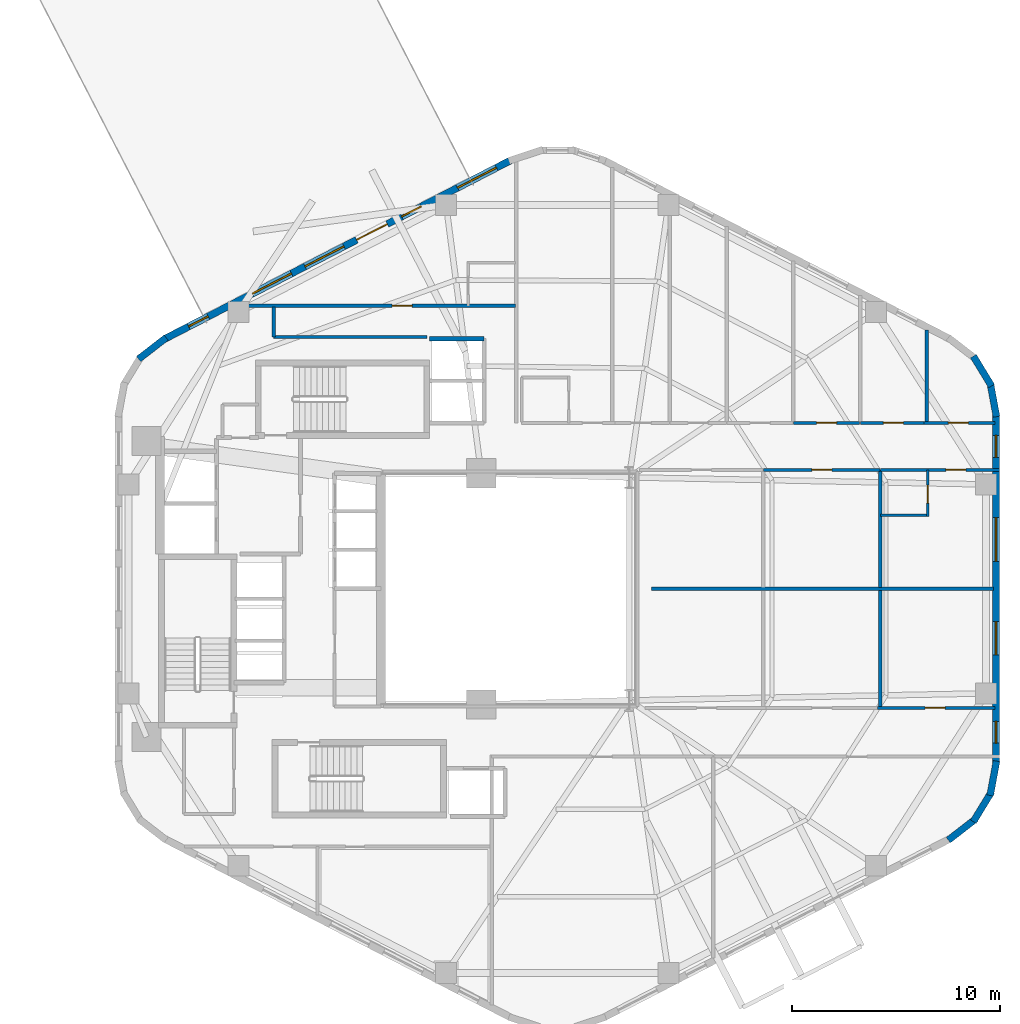
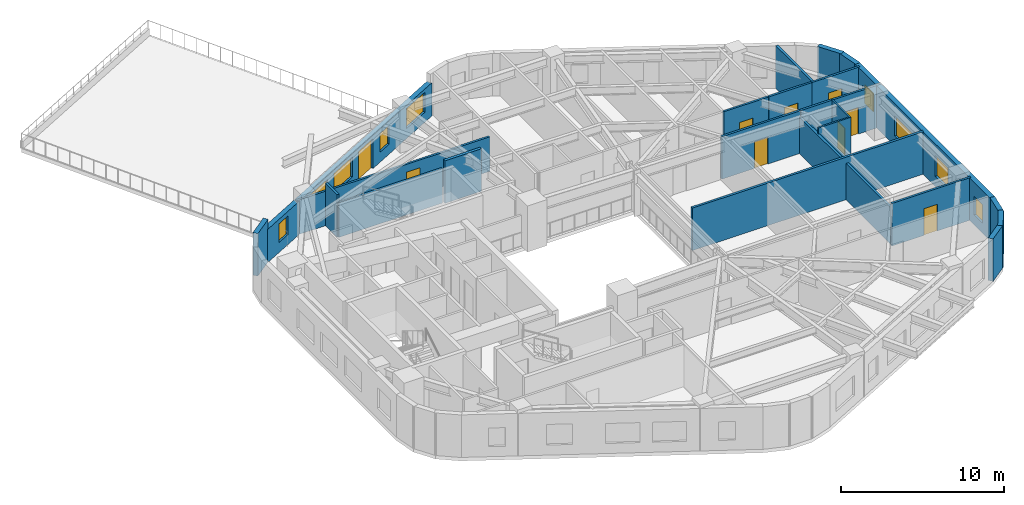
# One storey, part 5 of 8: 24 walls, 9 doors, 9 windows, 18 openings.
"""IFC4 building model written with IfcOpenShell, lengths in metres."""

from ifc_helpers import new_model, si_unit, direction, frame, frame_2d, origin, place, context, subcontext, project, spatial, rectangle, extrude, material, layer, layer_set, type_object, element, fill, save


model = new_model("IFC4")

# Units and contexts
model_context = context("Model", 3, precision=1e-05, world=origin(), true_north=direction((0.0, 1.0)))
body_context = subcontext(model_context, "Body", "Model", "MODEL_VIEW")
ifc_project = project(units=[si_unit("LENGTHUNIT", "METRE"), si_unit("AREAUNIT", "SQUARE_METRE"), si_unit("VOLUMEUNIT", "CUBIC_METRE"), si_unit("PLANEANGLEUNIT", "RADIAN"), si_unit("MASSUNIT", "GRAM", prefix="KILO"), si_unit("THERMODYNAMICTEMPERATUREUNIT", "KELVIN"), si_unit("POWERUNIT", "WATT")], contexts=[model_context])

# Site, building, storey
site_placement = place(None, origin())
site = spatial("IfcSite", under=ifc_project, at=site_placement, CompositionType="ELEMENT")
building_placement = place(site_placement, origin())
building = spatial("IfcBuilding", under=site, at=building_placement, Name="Skarre Station Tower", CompositionType="ELEMENT")
storey_placement = place(building_placement, frame((0.0, 0.0, 149.85009765625)))
storey = spatial("IfcBuildingStorey", under=building, at=storey_placement, Name="L40", CompositionType="ELEMENT", Elevation=149.85009765625)

# Wall, opening, door
ifc_material_1 = material(Name="Acoustic Steel-Stud Gypsum Partition", Category="steel")
ifc_layer_1 = layer(ifc_material_1, 0.14990234375, Name="Acoustic Steel-Stud Gypsum Partition")
ifc_layer_set_1 = layer_set([ifc_layer_1], Name="Acoustic Steel-Stud Gypsum Partition")
wall_type_1 = type_object("IfcWallType", Name="Fire-Rated Corridor Acoustic Partition 150", PredefinedType="PARTITIONING", material=ifc_layer_set_1)
wall_1_placement = place(storey_placement, frame((34.0, 37.580078125, 0.0), z_axis=(0.0, 0.0, 1.0), x_axis=(-1.0, 0.0, 0.0)))
wall_1 = element("IfcWall", 1, at=wall_1_placement, inside=storey, type_object=wall_type_1, Name="L40 Interior Partition WL-PT-L40-NWW1-CW", PredefinedType="PARTITIONING", context=body_context, shape_type="SweptSolid", body=[
    extrude(rectangle(XDim=13.70703125, YDim=0.14990234375, at=frame_2d((6.853515625, 0.0))), origin(), (0.0, 0.0, 1.0), 2.581787109375),
])
opening_1_placement = place(wall_1_placement, frame((4.9599609375, 0.0, 0.0)))
opening_1 = element("IfcOpeningElement", 2, at=opening_1_placement, cuts=wall_1, Name="Opening DR-FD60", PredefinedType="OPENING", context=body_context, shape_type="SweptSolid", body=[
    extrude(rectangle(XDim=0.9599609375, YDim=2.0, at=frame_2d((0.47998046875, 1.0))), frame((0.0, 0.0849609375, 0.0), z_axis=(0.0, -1.0, 0.0), x_axis=(1.0, 0.0, 0.0)), (0.0, 0.0, 1.0), 0.169921875),
])
ifc_material_2 = material(Name="Nordic White-Oak Veneer Solid-Core Fire Leaf", Category="wood")
door_type_1 = type_object("IfcDoorType", Name="Corridor Suite Entry Fire Door FD60 960x2150", OperationType="SINGLE_SWING_LEFT", PredefinedType="DOOR", material=ifc_material_2)
door_1_placement = place(opening_1_placement, origin())
door_1 = element("IfcDoor", 3, at=door_1_placement, inside=storey, type_object=door_type_1, Name="L40 NWW1 Entry Door", OperationType="SINGLE_SWING_LEFT", OverallHeight=2.0, OverallWidth=0.9599609375, PredefinedType="DOOR", context=body_context, shape_type="SweptSolid", body=[
    extrude(rectangle(XDim=0.9599609375, YDim=2.0, at=frame_2d((0.47998046875, 1.0))), frame((0.0, 0.02490234375, 0.0), z_axis=(0.0, -1.0, 0.0), x_axis=(1.0, 0.0, 0.0)), (0.0, 0.0, 1.0), 0.050048828125),
])
fill(opening_1, door_1)

wall_2_placement = place(storey_placement, frame((50.507080078125, 31.9599609375, 0.0), z_axis=(0.0, 0.0, 1.0), x_axis=(-1.0, 0.0, 0.0)))
wall_2 = element("IfcWall", 4, at=wall_2_placement, inside=storey, type_object=wall_type_1, Name="L40 Interior Partition WL-PT-L40-NW5-CW", PredefinedType="PARTITIONING", context=body_context, shape_type="SweptSolid", body=[
    extrude(rectangle(XDim=3.1650390625, YDim=0.14990234375, at=frame_2d((1.58251953125, 0.0))), origin(), (0.0, 0.0, 1.0), 3.18994140625),
])
opening_2_placement = place(wall_2_placement, frame((1.10302734375, 0.0, 0.0)))
opening_2 = element("IfcOpeningElement", 5, at=opening_2_placement, cuts=wall_2, Name="Opening DR-FD60", PredefinedType="OPENING", context=body_context, shape_type="SweptSolid", body=[
    extrude(rectangle(XDim=0.9599609375, YDim=2.0, at=frame_2d((0.47998046875, 1.0))), frame((0.0, 0.0849609375, 0.0), z_axis=(0.0, -1.0, 0.0), x_axis=(1.0, 0.0, 0.0)), (0.0, 0.0, 1.0), 0.169921875),
])
door_2_placement = place(opening_2_placement, origin())
door_2 = element("IfcDoor", 6, at=door_2_placement, inside=storey, type_object=door_type_1, Name="L40 NW5 Entry Door", OperationType="SINGLE_SWING_LEFT", OverallHeight=2.0, OverallWidth=0.9599609375, PredefinedType="DOOR", context=body_context, shape_type="SweptSolid", body=[
    extrude(rectangle(XDim=0.9599609375, YDim=2.0, at=frame_2d((0.47998046875, 1.0))), frame((0.0, 0.02490234375, 0.0), z_axis=(0.0, -1.0, 0.0), x_axis=(1.0, 0.0, 0.0)), (0.0, 0.0, 1.0), 0.050048828125),
])
fill(opening_2, door_2)

wall_3_placement = place(storey_placement, frame((53.591064453125, 31.9599609375, 0.0), z_axis=(0.0, 0.0, 1.0), x_axis=(-1.0, 0.0, 0.0)))
wall_3 = element("IfcWall", 7, at=wall_3_placement, inside=storey, type_object=wall_type_1, Name="L40 Interior Partition WL-PT-L40-NW6-CW", PredefinedType="PARTITIONING", context=body_context, shape_type="SweptSolid", body=[
    extrude(rectangle(XDim=3.052001953125, YDim=0.14990234375, at=frame_2d((1.52587890625, 0.0))), origin(), (0.0, 0.0, 1.0), 3.18994140625),
])
opening_3_placement = place(wall_3_placement, frame((0.989013671875, 0.0, 0.0)))
opening_3 = element("IfcOpeningElement", 8, at=opening_3_placement, cuts=wall_3, Name="Opening DR-FD60", PredefinedType="OPENING", context=body_context, shape_type="SweptSolid", body=[
    extrude(rectangle(XDim=0.9599609375, YDim=2.0, at=frame_2d((0.47998046875, 1.0))), frame((0.0, 0.0849609375, 0.0), z_axis=(0.0, -1.0, 0.0), x_axis=(1.0, 0.0, 0.0)), (0.0, 0.0, 1.0), 0.169921875),
])
door_3_placement = place(opening_3_placement, origin())
door_3 = element("IfcDoor", 9, at=door_3_placement, inside=storey, type_object=door_type_1, Name="L40 NW6 Entry Door", OperationType="SINGLE_SWING_LEFT", OverallHeight=2.0, OverallWidth=0.9599609375, PredefinedType="DOOR", context=body_context, shape_type="SweptSolid", body=[
    extrude(rectangle(XDim=0.9599609375, YDim=2.0, at=frame_2d((0.47998046875, 1.0))), frame((0.0, 0.02490234375, 0.0), z_axis=(0.0, -1.0, 0.0), x_axis=(1.0, 0.0, 0.0)), (0.0, 0.0, 1.0), 0.050048828125),
])
fill(opening_3, door_3)

wall_4_placement = place(storey_placement, frame((56.987060546875, 31.9599609375, 0.0), z_axis=(0.0, 0.0, 1.0), x_axis=(-1.0, 0.0, 0.0)))
wall_4 = element("IfcWall", 10, at=wall_4_placement, inside=storey, type_object=wall_type_1, Name="L40 Interior Partition WL-PT-L40-NW7-CW", PredefinedType="PARTITIONING", context=body_context, shape_type="SweptSolid", body=[
    extrude(rectangle(XDim=3.385986328125, YDim=0.14990234375, at=frame_2d((1.69287109375, 0.0))), origin(), (0.0, 0.0, 1.0), 3.18994140625),
])
opening_4_placement = place(wall_4_placement, frame((1.27001953125, 0.0, 0.0)))
opening_4 = element("IfcOpeningElement", 11, at=opening_4_placement, cuts=wall_4, Name="Opening DR-FD60", PredefinedType="OPENING", context=body_context, shape_type="SweptSolid", body=[
    extrude(rectangle(XDim=0.9599609375, YDim=2.0, at=frame_2d((0.47998046875, 1.0))), frame((0.0, 0.0849609375, 0.0), z_axis=(0.0, -1.0, 0.0), x_axis=(1.0, 0.0, 0.0)), (0.0, 0.0, 1.0), 0.169921875),
])
door_4_placement = place(opening_4_placement, origin())
door_4 = element("IfcDoor", 12, at=door_4_placement, inside=storey, type_object=door_type_1, Name="L40 NW7 Entry Door", OperationType="SINGLE_SWING_LEFT", OverallHeight=2.0, OverallWidth=0.9599609375, PredefinedType="DOOR", context=body_context, shape_type="SweptSolid", body=[
    extrude(rectangle(XDim=0.9599609375, YDim=2.0, at=frame_2d((0.47998046875, 1.0))), frame((0.0, 0.02490234375, 0.0), z_axis=(0.0, -1.0, 0.0), x_axis=(1.0, 0.0, 0.0)), (0.0, 0.0, 1.0), 0.050048828125),
])
fill(opening_4, door_4)

wall_5_placement = place(storey_placement, frame((45.904052734375, 29.7099609375, 0.0), z_axis=(0.0, 0.0, 1.0), x_axis=(1.0, 0.0, 0.0)))
wall_5 = element("IfcWall", 13, at=wall_5_placement, inside=storey, type_object=wall_type_1, Name="L40 Interior Partition WL-PT-L40-EWN2-CW", PredefinedType="PARTITIONING", context=body_context, shape_type="SweptSolid", body=[
    extrude(rectangle(XDim=5.56884765625, YDim=0.14990234375, at=frame_2d((2.784423828125, 0.0))), origin(), (0.0, 0.0, 1.0), 3.18994140625),
])
opening_5_placement = place(wall_5_placement, frame((2.303955078125, 0.0, 0.0)))
opening_5 = element("IfcOpeningElement", 14, at=opening_5_placement, cuts=wall_5, Name="Opening DR-FD60", PredefinedType="OPENING", context=body_context, shape_type="SweptSolid", body=[
    extrude(rectangle(XDim=0.9599609375, YDim=2.0, at=frame_2d((0.47998046875, 1.0))), frame((0.0, 0.0849609375, 0.0), z_axis=(0.0, -1.0, 0.0), x_axis=(1.0, 0.0, 0.0)), (0.0, 0.0, 1.0), 0.169921875),
])
door_5_placement = place(opening_5_placement, origin())
door_5 = element("IfcDoor", 15, at=door_5_placement, inside=storey, type_object=door_type_1, Name="L40 EWN2 Entry Door", OperationType="SINGLE_SWING_LEFT", OverallHeight=2.0, OverallWidth=0.9599609375, PredefinedType="DOOR", context=body_context, shape_type="SweptSolid", body=[
    extrude(rectangle(XDim=0.9599609375, YDim=2.0, at=frame_2d((0.47998046875, 1.0))), frame((0.0, 0.02490234375, 0.0), z_axis=(0.0, -1.0, 0.0), x_axis=(1.0, 0.0, 0.0)), (0.0, 0.0, 1.0), 0.050048828125),
])
fill(opening_5, door_5)

wall_6_placement = place(storey_placement, frame((51.5029296875, 29.7099609375, 0.0), z_axis=(0.0, 0.0, 1.0), x_axis=(1.0, 0.0, 0.0)))
wall_6 = element("IfcWall", 16, at=wall_6_placement, inside=storey, type_object=wall_type_1, Name="L40 Interior Partition WL-PT-L40-EWN3-CW", PredefinedType="PARTITIONING", context=body_context, shape_type="SweptSolid", body=[
    extrude(rectangle(XDim=5.705078125, YDim=0.14990234375, at=frame_2d((2.8525390625, 0.0))), origin(), (0.0, 0.0, 1.0), 3.18994140625),
])
opening_6_placement = place(wall_6_placement, frame((3.136962890625, 0.0, 0.0)))
opening_6 = element("IfcOpeningElement", 17, at=opening_6_placement, cuts=wall_6, Name="Opening DR-FD60", PredefinedType="OPENING", context=body_context, shape_type="SweptSolid", body=[
    extrude(rectangle(XDim=0.9599609375, YDim=2.0, at=frame_2d((0.47998046875, 1.0))), frame((0.0, 0.0849609375, 0.0), z_axis=(0.0, -1.0, 0.0), x_axis=(1.0, 0.0, 0.0)), (0.0, 0.0, 1.0), 0.169921875),
])
door_6_placement = place(opening_6_placement, origin())
door_6 = element("IfcDoor", 18, at=door_6_placement, inside=storey, type_object=door_type_1, Name="L40 EWN3 Entry Door", OperationType="SINGLE_SWING_LEFT", OverallHeight=2.0, OverallWidth=0.9599609375, PredefinedType="DOOR", context=body_context, shape_type="SweptSolid", body=[
    extrude(rectangle(XDim=0.9599609375, YDim=2.0, at=frame_2d((0.47998046875, 1.0))), frame((0.0, 0.02490234375, 0.0), z_axis=(0.0, -1.0, 0.0), x_axis=(1.0, 0.0, 0.0)), (0.0, 0.0, 1.0), 0.050048828125),
])
fill(opening_6, door_6)

wall_7_placement = place(storey_placement, frame((56.988037109375, 18.2900390625, 0.0), z_axis=(0.0, 0.0, 1.0), x_axis=(-1.0, 0.0, 0.0)))
wall_7 = element("IfcWall", 19, at=wall_7_placement, inside=storey, type_object=wall_type_1, Name="L40 Interior Partition WL-PT-L40-EWS3-CW", PredefinedType="PARTITIONING", context=body_context, shape_type="SweptSolid", body=[
    extrude(rectangle(XDim=5.6201171875, YDim=0.14990234375, at=frame_2d((2.81005859375, 0.0))), origin(), (0.0, 0.0, 1.0), 3.18994140625),
])
opening_7_placement = place(wall_7_placement, frame((2.386962890625, 0.0, 0.0)))
opening_7 = element("IfcOpeningElement", 20, at=opening_7_placement, cuts=wall_7, Name="Opening DR-FD60", PredefinedType="OPENING", context=body_context, shape_type="SweptSolid", body=[
    extrude(rectangle(XDim=0.9599609375, YDim=2.0, at=frame_2d((0.47998046875, 1.0))), frame((0.0, 0.0849609375, 0.0), z_axis=(0.0, -1.0, 0.0), x_axis=(1.0, 0.0, 0.0)), (0.0, 0.0, 1.0), 0.169921875),
])
door_7_placement = place(opening_7_placement, origin())
door_7 = element("IfcDoor", 21, at=door_7_placement, inside=storey, type_object=door_type_1, Name="L40 EWS3 Entry Door", OperationType="SINGLE_SWING_LEFT", OverallHeight=2.0, OverallWidth=0.9599609375, PredefinedType="DOOR", context=body_context, shape_type="SweptSolid", body=[
    extrude(rectangle(XDim=0.9599609375, YDim=2.0, at=frame_2d((0.47998046875, 1.0))), frame((0.0, 0.02490234375, 0.0), z_axis=(0.0, -1.0, 0.0), x_axis=(1.0, 0.0, 0.0)), (0.0, 0.0, 1.0), 0.050048828125),
])
fill(opening_7, door_7)

# Walls
wall_8_placement = place(storey_placement, frame((29.7529296875, 36.080078125, 0.0), z_axis=(0.0, 0.0, 1.0), x_axis=(-1.0, 0.0, 0.0)))
element("IfcWall", 22, at=wall_8_placement, inside=storey, type_object=wall_type_1, Name="L40 Interior Partition WL-PT-L40-CSEAL-1", PredefinedType="PARTITIONING", context=body_context, shape_type="SweptSolid", body=[
    extrude(rectangle(XDim=7.35302734375, YDim=0.14990234375, at=frame_2d((3.676513671875, 0.0))), origin(), (0.0, 0.0, 1.0), 2.581787109375),
])
wall_9_placement = place(storey_placement, frame((22.39990234375, 36.080078125, 0.0), z_axis=(0.0, 0.0, 1.0), x_axis=(0.0, 1.0, 0.0)))
element("IfcWall", 23, at=wall_9_placement, inside=storey, type_object=wall_type_1, Name="L40 Interior Partition WL-PT-L40-CSEAL-2", PredefinedType="PARTITIONING", context=body_context, shape_type="SweptSolid", body=[
    extrude(rectangle(XDim=1.429931640625, YDim=0.14990234375, at=frame_2d((0.71484375, 0.0))), origin(), (0.0, 0.0, 1.0), 3.18994140625),
])

# Wall, opening, door
ifc_material_3 = material(Name="Insulated Timber-Stud Gypsum Partition", Category="wood")
ifc_layer_2 = layer(ifc_material_3, 0.1201171875, Name="Insulated Timber-Stud Gypsum Partition")
ifc_layer_set_2 = layer_set([ifc_layer_2], Name="Insulated Timber-Stud Gypsum Partition")
wall_type_2 = type_object("IfcWallType", Name="Internal Suite Acoustic Partition 120", PredefinedType="PARTITIONING", material=ifc_layer_set_2)
wall_10_placement = place(storey_placement, frame((53.762939453125, 27.469970703125, 0.0), z_axis=(0.0, 0.0, 1.0), x_axis=(0.0, 1.0, 0.0)))
wall_10 = element("IfcWall", 24, at=wall_10_placement, inside=storey, type_object=wall_type_2, Name="L40 Interior Partition WL-PT-L40-EWN3-EW2", PredefinedType="PARTITIONING", context=body_context, shape_type="SweptSolid", body=[
    extrude(rectangle(XDim=2.239990234375, YDim=0.1201171875, at=frame_2d((1.1201171875, 0.0))), origin(), (0.0, 0.0, 1.0), 3.18994140625),
])
opening_8_placement = place(wall_10_placement, frame((0.64990234375, 0.0, 0.0)))
opening_8 = element("IfcOpeningElement", 25, at=opening_8_placement, cuts=wall_10, Name="Opening DR-INT86", PredefinedType="OPENING", context=body_context, shape_type="SweptSolid", body=[
    extrude(rectangle(XDim=0.860107421875, YDim=2.0, at=frame_2d((0.43017578125, 1.0))), frame((0.0, 0.070068359375, 0.0), z_axis=(0.0, -1.0, 0.0), x_axis=(1.0, 0.0, 0.0)), (0.0, 0.0, 1.0), 0.14013671875),
])
ifc_material_4 = material(Name="Nordic Birch Acoustic Solid-Core Timber Leaf", Category="wood")
door_type_2 = type_object("IfcDoorType", Name="Internal En-Suite & Bedroom Door 860x2100", OperationType="SINGLE_SWING_LEFT", PredefinedType="DOOR", material=ifc_material_4)
door_8_placement = place(opening_8_placement, origin())
door_8 = element("IfcDoor", 26, at=door_8_placement, inside=storey, type_object=door_type_2, Name="L40 EWN3 En-suite Door", OperationType="SINGLE_SWING_RIGHT", OverallHeight=2.0, OverallWidth=0.860107421875, PredefinedType="DOOR", context=body_context, shape_type="SweptSolid", body=[
    extrude(rectangle(XDim=0.860107421875, YDim=2.0, at=frame_2d((0.43017578125, 1.0))), frame((0.0, 0.02490234375, 0.0), z_axis=(0.0, -1.0, 0.0), x_axis=(1.0, 0.0, 0.0)), (0.0, 0.0, 1.0), 0.050048828125),
])
fill(opening_8, door_8)

# Wall
wall_11_placement = place(storey_placement, frame((51.5029296875, 27.530029296875, 0.0), z_axis=(0.0, 0.0, 1.0), x_axis=(1.0, 0.0, 0.0)))
element("IfcWall", 27, at=wall_11_placement, inside=storey, type_object=wall_type_2, Name="L40 Interior Partition WL-PT-L40-EWN3-EW1", PredefinedType="PARTITIONING", context=body_context, shape_type="SweptSolid", body=[
    extrude(rectangle(XDim=2.320068359375, YDim=0.1201171875, at=frame_2d((1.16015625, 0.0))), origin(), (0.0, 0.0, 1.0), 3.18994140625),
])

# Wall, openings, windows, door
ifc_material_5 = material(Name="Precast concrete C45/55", Category="concrete")
ifc_layer_3 = layer(ifc_material_5, 0.340087890625, Name="Precast concrete C45/55")
ifc_layer_set_3 = layer_set([ifc_layer_3], Name="Precast concrete C45/55")
wall_type_3 = type_object("IfcWallType", Name="Nordic Honed Precast Facet Wall 340", PredefinedType="STANDARD", material=ifc_layer_set_3)
wall_12_placement = place(storey_placement, frame((17.1689453125, 35.989990234375, 0.0), z_axis=(0.0, 0.0, 1.0), x_axis=(0.888613612362, 0.458656568606, 0.0)))
wall_12 = element("IfcWall", 28, at=wall_12_placement, inside=storey, type_object=wall_type_3, Name="L40 Facet 1 Nordic Precast Masonry Wall", PredefinedType="STANDARD", context=body_context, shape_type="SweptSolid", body=[
    extrude(rectangle(XDim=18.680908203125, YDim=0.340087890625, at=frame_2d((9.34033203125, 0.0))), origin(), (0.0, 0.0, 1.0), 2.493896484375),
])
opening_9_placement = place(wall_12_placement, frame((10.364990234375, 0.0, 0.0)))
opening_9 = element("IfcOpeningElement", 29, at=opening_9_placement, cuts=wall_12, Name="Opening DR-SGD165", PredefinedType="OPENING", context=body_context, shape_type="SweptSolid", body=[
    extrude(rectangle(XDim=1.64990234375, YDim=2.25, at=frame_2d((0.824951171875, 1.125))), frame((0.0, 0.179931640625, 0.0), z_axis=(0.0, -1.0, 0.0), x_axis=(1.0, 0.0, 0.0)), (0.0, 0.0, 1.0), 0.360107421875),
])
opening_10_placement = place(wall_12_placement, frame((1.298095703125, 0.0, 0.75)))
opening_10 = element("IfcOpeningElement", 30, at=opening_10_placement, cuts=wall_12, Name="Opening WN-SLT", PredefinedType="OPENING", context=body_context, shape_type="SweptSolid", body=[
    extrude(rectangle(XDim=1.050048828125, YDim=1.39990234375, at=frame_2d((0.52490234375, 0.699951171875))), frame((0.0, 0.179931640625, 0.0), z_axis=(0.0, -1.0, 0.0), x_axis=(1.0, 0.0, 0.0)), (0.0, 0.0, 1.0), 0.360107421875),
])
opening_11_placement = place(wall_12_placement, frame((4.742919921875, 0.0, 0.75)))
opening_11 = element("IfcOpeningElement", 31, at=opening_11_placement, cuts=wall_12, Name="Opening WN-Z2B", PredefinedType="OPENING", context=body_context, shape_type="SweptSolid", body=[
    extrude(rectangle(XDim=2.10009765625, YDim=1.5, at=frame_2d((1.050048828125, 0.75))), frame((0.0, 0.179931640625, 0.0), z_axis=(0.0, -1.0, 0.0), x_axis=(1.0, 0.0, 0.0)), (0.0, 0.0, 1.0), 0.360107421875),
])
opening_12_placement = place(wall_12_placement, frame((7.577880859375, 0.0, 0.75)))
opening_12 = element("IfcOpeningElement", 32, at=opening_12_placement, cuts=wall_12, Name="Opening WN-Z2B", PredefinedType="OPENING", context=body_context, shape_type="SweptSolid", body=[
    extrude(rectangle(XDim=2.10009765625, YDim=1.5, at=frame_2d((1.050048828125, 0.75))), frame((0.0, 0.179931640625, 0.0), z_axis=(0.0, -1.0, 0.0), x_axis=(1.0, 0.0, 0.0)), (0.0, 0.0, 1.0), 0.360107421875),
])
opening_13_placement = place(wall_12_placement, frame((12.794921875, 0.0, 0.75)))
opening_13 = element("IfcOpeningElement", 33, at=opening_13_placement, cuts=wall_12, Name="Opening WN-SLT", PredefinedType="OPENING", context=body_context, shape_type="SweptSolid", body=[
    extrude(rectangle(XDim=1.050048828125, YDim=1.39990234375, at=frame_2d((0.52490234375, 0.699951171875))), frame((0.0, 0.179931640625, 0.0), z_axis=(0.0, -1.0, 0.0), x_axis=(1.0, 0.0, 0.0)), (0.0, 0.0, 1.0), 0.360107421875),
])
opening_14_placement = place(wall_12_placement, frame((15.80810546875, 0.0, 0.75)))
opening_14 = element("IfcOpeningElement", 34, at=opening_14_placement, cuts=wall_12, Name="Opening WN-Z2B", PredefinedType="OPENING", context=body_context, shape_type="SweptSolid", body=[
    extrude(rectangle(XDim=2.10009765625, YDim=1.5, at=frame_2d((1.050048828125, 0.75))), frame((0.0, 0.179931640625, 0.0), z_axis=(0.0, -1.0, 0.0), x_axis=(1.0, 0.0, 0.0)), (0.0, 0.0, 1.0), 0.360107421875),
])
ifc_material_6 = material(Name="Low-Iron Triple Glazing with Bronze Anodized Frame", Category="glass")
window_type_1 = type_object("IfcWindowType", Name="Nordic Corner Slot Window 1050x1400", PartitioningType="SINGLE_PANEL", PredefinedType="WINDOW", material=ifc_material_6)
window_1_placement = place(opening_10_placement, origin())
window_1 = element("IfcWindow", 35, at=window_1_placement, inside=storey, type_object=window_type_1, Name="L40 Facade Window WL-FAC-L40-F1-1", OverallHeight=1.39990234375, OverallWidth=1.050048828125, PartitioningType="SINGLE_PANEL", PredefinedType="WINDOW", context=body_context, shape_type="SweptSolid", body=[
    extrude(rectangle(XDim=1.050048828125, YDim=1.39990234375, at=frame_2d((0.52490234375, 0.699951171875))), frame((0.0, 0.030029296875, 0.0), z_axis=(0.0, -1.0, 0.0), x_axis=(1.0, 0.0, 0.0)), (0.0, 0.0, 1.0), 0.06005859375),
])
fill(opening_10, window_1)
window_2_placement = place(opening_13_placement, origin())
window_2 = element("IfcWindow", 36, at=window_2_placement, inside=storey, type_object=window_type_1, Name="L40 Facade Window WL-FAC-L40-F1-4", OverallHeight=1.39990234375, OverallWidth=1.050048828125, PartitioningType="SINGLE_PANEL", PredefinedType="WINDOW", context=body_context, shape_type="SweptSolid", body=[
    extrude(rectangle(XDim=1.050048828125, YDim=1.39990234375, at=frame_2d((0.52490234375, 0.699951171875))), frame((0.0, 0.030029296875, 0.0), z_axis=(0.0, -1.0, 0.0), x_axis=(1.0, 0.0, 0.0)), (0.0, 0.0, 1.0), 0.06005859375),
])
fill(opening_13, window_2)
window_type_2 = type_object("IfcWindowType", Name="Nordic Residential Twin Window 2100x1500", PartitioningType="SINGLE_PANEL", PredefinedType="WINDOW", material=ifc_material_6)
window_3_placement = place(opening_11_placement, origin())
window_3 = element("IfcWindow", 37, at=window_3_placement, inside=storey, type_object=window_type_2, Name="L40 Facade Window WL-FAC-L40-F1-2", OverallHeight=1.5, OverallWidth=2.10009765625, PartitioningType="SINGLE_PANEL", PredefinedType="WINDOW", context=body_context, shape_type="SweptSolid", body=[
    extrude(rectangle(XDim=2.10009765625, YDim=1.5, at=frame_2d((1.050048828125, 0.75))), frame((0.0, 0.030029296875, 0.0), z_axis=(0.0, -1.0, 0.0), x_axis=(1.0, 0.0, 0.0)), (0.0, 0.0, 1.0), 0.06005859375),
])
fill(opening_11, window_3)
window_4_placement = place(opening_12_placement, origin())
window_4 = element("IfcWindow", 38, at=window_4_placement, inside=storey, type_object=window_type_2, Name="L40 Facade Window WL-FAC-L40-F1-3", OverallHeight=1.5, OverallWidth=2.10009765625, PartitioningType="SINGLE_PANEL", PredefinedType="WINDOW", context=body_context, shape_type="SweptSolid", body=[
    extrude(rectangle(XDim=2.10009765625, YDim=1.5, at=frame_2d((1.050048828125, 0.75))), frame((0.0, 0.030029296875, 0.0), z_axis=(0.0, -1.0, 0.0), x_axis=(1.0, 0.0, 0.0)), (0.0, 0.0, 1.0), 0.06005859375),
])
fill(opening_12, window_4)
window_5_placement = place(opening_14_placement, origin())
window_5 = element("IfcWindow", 39, at=window_5_placement, inside=storey, type_object=window_type_2, Name="L40 Facade Window WL-FAC-L40-F1-5", OverallHeight=1.5, OverallWidth=2.10009765625, PartitioningType="SINGLE_PANEL", PredefinedType="WINDOW", context=body_context, shape_type="SweptSolid", body=[
    extrude(rectangle(XDim=2.10009765625, YDim=1.5, at=frame_2d((1.050048828125, 0.75))), frame((0.0, 0.030029296875, 0.0), z_axis=(0.0, -1.0, 0.0), x_axis=(1.0, 0.0, 0.0)), (0.0, 0.0, 1.0), 0.06005859375),
])
fill(opening_14, window_5)
ifc_material_7 = material(Name="Thermally Broken Aluminium & Triple Glazing", Category="aluminium")
door_type_3 = type_object("IfcDoorType", Name="Sky-Garden Double Glazed Terrace Door 1650x2250", OperationType="DOUBLE_DOOR_SINGLE_SWING", PredefinedType="DOOR", material=ifc_material_7)
door_9_placement = place(opening_9_placement, origin())
door_9 = element("IfcDoor", 40, at=door_9_placement, inside=storey, type_object=door_type_3, Name="L40 SB-3 Roof Terrace Access Door", OperationType="SINGLE_SWING_LEFT", OverallHeight=2.25, OverallWidth=1.64990234375, PredefinedType="DOOR", context=body_context, shape_type="SweptSolid", body=[
    extrude(rectangle(XDim=1.64990234375, YDim=2.25, at=frame_2d((0.824951171875, 1.125))), frame((0.0, 0.02490234375, 0.0), z_axis=(0.0, -1.0, 0.0), x_axis=(1.0, 0.0, 0.0)), (0.0, 0.0, 1.0), 0.050048828125),
])
fill(opening_9, door_9)

# Wall, openings, windows
wall_13_placement = place(storey_placement, frame((57.048095703125, 32.35205078125, 0.0), z_axis=(0.0, 0.0, 1.0), x_axis=(0.0, -1.0, 0.0)))
wall_13 = element("IfcWall", 41, at=wall_13_placement, inside=storey, type_object=wall_type_3, Name="L40 Facet 5 Nordic Precast Masonry Wall", PredefinedType="STANDARD", context=body_context, shape_type="SweptSolid", body=[
    extrude(rectangle(XDim=16.7041015625, YDim=0.340087890625, at=frame_2d((8.35205078125, 0.0))), origin(), (0.0, 0.0, 1.0), 3.18994140625),
])
opening_15_placement = place(wall_13_placement, frame((0.991943359375, 0.0, 0.75)))
opening_15 = element("IfcOpeningElement", 42, at=opening_15_placement, cuts=wall_13, Name="Opening WN-SLT", PredefinedType="OPENING", context=body_context, shape_type="SweptSolid", body=[
    extrude(rectangle(XDim=1.050048828125, YDim=1.39990234375, at=frame_2d((0.52490234375, 0.699951171875))), frame((0.0, 0.179931640625, 0.0), z_axis=(0.0, -1.0, 0.0), x_axis=(1.0, 0.0, 0.0)), (0.0, 0.0, 1.0), 0.360107421875),
])
opening_16_placement = place(wall_13_placement, frame((4.93505859375, 0.0, 0.75)))
opening_16 = element("IfcOpeningElement", 43, at=opening_16_placement, cuts=wall_13, Name="Opening WN-Z2B", PredefinedType="OPENING", context=body_context, shape_type="SweptSolid", body=[
    extrude(rectangle(XDim=2.10009765625, YDim=1.5, at=frame_2d((1.050048828125, 0.75))), frame((0.0, 0.179931640625, 0.0), z_axis=(0.0, -1.0, 0.0), x_axis=(1.0, 0.0, 0.0)), (0.0, 0.0, 1.0), 0.360107421875),
])
opening_17_placement = place(wall_13_placement, frame((9.9189453125, 0.0, 0.75)))
opening_17 = element("IfcOpeningElement", 44, at=opening_17_placement, cuts=wall_13, Name="Opening WN-Z2A", PredefinedType="OPENING", context=body_context, shape_type="SweptSolid", body=[
    extrude(rectangle(XDim=1.60009765625, YDim=1.550048828125, at=frame_2d((0.800048828125, 0.77490234375))), frame((0.0, 0.179931640625, 0.0), z_axis=(0.0, -1.0, 0.0), x_axis=(1.0, 0.0, 0.0)), (0.0, 0.0, 1.0), 0.360107421875),
])
opening_18_placement = place(wall_13_placement, frame((14.701904296875, 0.0, 0.75)))
opening_18 = element("IfcOpeningElement", 45, at=opening_18_placement, cuts=wall_13, Name="Opening WN-SLT", PredefinedType="OPENING", context=body_context, shape_type="SweptSolid", body=[
    extrude(rectangle(XDim=1.050048828125, YDim=1.39990234375, at=frame_2d((0.52490234375, 0.699951171875))), frame((0.0, 0.179931640625, 0.0), z_axis=(0.0, -1.0, 0.0), x_axis=(1.0, 0.0, 0.0)), (0.0, 0.0, 1.0), 0.360107421875),
])
window_6_placement = place(opening_15_placement, origin())
window_6 = element("IfcWindow", 46, at=window_6_placement, inside=storey, type_object=window_type_1, Name="L40 Facade Window WL-FAC-L40-F5-1", OverallHeight=1.39990234375, OverallWidth=1.050048828125, PartitioningType="SINGLE_PANEL", PredefinedType="WINDOW", context=body_context, shape_type="SweptSolid", body=[
    extrude(rectangle(XDim=1.050048828125, YDim=1.39990234375, at=frame_2d((0.52490234375, 0.699951171875))), frame((0.0, 0.030029296875, 0.0), z_axis=(0.0, -1.0, 0.0), x_axis=(1.0, 0.0, 0.0)), (0.0, 0.0, 1.0), 0.06005859375),
])
fill(opening_15, window_6)
window_7_placement = place(opening_18_placement, origin())
window_7 = element("IfcWindow", 47, at=window_7_placement, inside=storey, type_object=window_type_1, Name="L40 Facade Window WL-FAC-L40-F5-4", OverallHeight=1.39990234375, OverallWidth=1.050048828125, PartitioningType="SINGLE_PANEL", PredefinedType="WINDOW", context=body_context, shape_type="SweptSolid", body=[
    extrude(rectangle(XDim=1.050048828125, YDim=1.39990234375, at=frame_2d((0.52490234375, 0.699951171875))), frame((0.0, 0.030029296875, 0.0), z_axis=(0.0, -1.0, 0.0), x_axis=(1.0, 0.0, 0.0)), (0.0, 0.0, 1.0), 0.06005859375),
])
fill(opening_18, window_7)
window_type_3 = type_object("IfcWindowType", Name="Nordic Residential Tall Window 1600x1550", PartitioningType="SINGLE_PANEL", PredefinedType="WINDOW", material=ifc_material_6)
window_8_placement = place(opening_17_placement, origin())
window_8 = element("IfcWindow", 48, at=window_8_placement, inside=storey, type_object=window_type_3, Name="L40 Facade Window WL-FAC-L40-F5-3", OverallHeight=1.550048828125, OverallWidth=1.60009765625, PartitioningType="SINGLE_PANEL", PredefinedType="WINDOW", context=body_context, shape_type="SweptSolid", body=[
    extrude(rectangle(XDim=1.60009765625, YDim=1.550048828125, at=frame_2d((0.800048828125, 0.77490234375))), frame((0.0, 0.030029296875, 0.0), z_axis=(0.0, -1.0, 0.0), x_axis=(1.0, 0.0, 0.0)), (0.0, 0.0, 1.0), 0.06005859375),
])
fill(opening_17, window_8)
window_9_placement = place(opening_16_placement, origin())
window_9 = element("IfcWindow", 49, at=window_9_placement, inside=storey, type_object=window_type_2, Name="L40 Facade Window WL-FAC-L40-F5-2", OverallHeight=1.5, OverallWidth=2.10009765625, PartitioningType="SINGLE_PANEL", PredefinedType="WINDOW", context=body_context, shape_type="SweptSolid", body=[
    extrude(rectangle(XDim=2.10009765625, YDim=1.5, at=frame_2d((1.050048828125, 0.75))), frame((0.0, 0.030029296875, 0.0), z_axis=(0.0, -1.0, 0.0), x_axis=(1.0, 0.0, 0.0)), (0.0, 0.0, 1.0), 0.06005859375),
])
fill(opening_16, window_9)

# Walls
ifc_layer_4 = layer(ifc_material_5, 0.330078125, Name="Precast concrete C45/55")
ifc_layer_set_4 = layer_set([ifc_layer_4], Name="Precast concrete C45/55")
wall_type_4 = type_object("IfcWallType", Name="Nordic Rounded Corner Precast Wall 330", PredefinedType="STANDARD", material=ifc_layer_set_4)
wall_14_placement = place(storey_placement, frame((55.95703125, 35.1640625, 0.0), z_axis=(0.0, 0.0, 1.0), x_axis=(0.520519429557, -0.853849824883, 0.0)))
element("IfcWall", 50, at=wall_14_placement, inside=storey, type_object=wall_type_4, Name="L40 Rounded Corner Precast Wall F0-2", PredefinedType="STANDARD", context=body_context, shape_type="SweptSolid", body=[
    extrude(rectangle(XDim=1.67724609375, YDim=0.330078125, at=frame_2d((0.838623046875, 0.0))), origin(), (0.0, 0.0, 1.0), 3.18994140625),
])
wall_15_placement = place(storey_placement, frame((56.762939453125, 33.906982421875, 0.0), z_axis=(0.0, 0.0, 1.0), x_axis=(0.181984991895, -0.983301308209, 0.0)))
element("IfcWall", 51, at=wall_15_placement, inside=storey, type_object=wall_type_4, Name="L40 Rounded Corner Precast Wall F0-3", PredefinedType="STANDARD", context=body_context, shape_type="SweptSolid", body=[
    extrude(rectangle(XDim=1.677001953125, YDim=0.330078125, at=frame_2d((0.83837890625, 0.0))), origin(), (0.0, 0.0, 1.0), 3.18994140625),
])
wall_16_placement = place(storey_placement, frame((15.91796875, 35.02392578125, 0.0), z_axis=(0.0, 0.0, 1.0), x_axis=(0.790621329885, 0.612305408053, 0.0)))
element("IfcWall", 52, at=wall_16_placement, inside=storey, type_object=wall_type_4, Name="L40 Rounded Corner Precast Wall F2-3", PredefinedType="STANDARD", context=body_context, shape_type="SweptSolid", body=[
    extrude(rectangle(XDim=1.67578125, YDim=0.330078125, at=frame_2d((0.837890625, 0.0))), origin(), (0.0, 0.0, 1.0), 3.18994140625),
])
wall_17_placement = place(storey_placement, frame((57.068115234375, 15.741943359375, 0.0), z_axis=(0.0, 0.0, 1.0), x_axis=(-0.181984991895, -0.983301308209, 0.0)))
element("IfcWall", 53, at=wall_17_placement, inside=storey, type_object=wall_type_4, Name="L40 Rounded Corner Precast Wall F5-1", PredefinedType="STANDARD", context=body_context, shape_type="SweptSolid", body=[
    extrude(rectangle(XDim=1.677001953125, YDim=0.330078125, at=frame_2d((0.83837890625, 0.0))), origin(), (0.0, 0.0, 1.0), 3.18994140625),
])
wall_18_placement = place(storey_placement, frame((56.830078125, 14.26806640625, 0.0), z_axis=(0.0, 0.0, 1.0), x_axis=(-0.520519429557, -0.853849824883, 0.0)))
element("IfcWall", 54, at=wall_18_placement, inside=storey, type_object=wall_type_4, Name="L40 Rounded Corner Precast Wall F5-2", PredefinedType="STANDARD", context=body_context, shape_type="SweptSolid", body=[
    extrude(rectangle(XDim=1.67724609375, YDim=0.330078125, at=frame_2d((0.838623046875, 0.0))), origin(), (0.0, 0.0, 1.0), 3.18994140625),
])
wall_19_placement = place(storey_placement, frame((56.08203125, 12.97607421875, 0.0), z_axis=(0.0, 0.0, 1.0), x_axis=(-0.790621329885, -0.612305408053, 0.0)))
element("IfcWall", 55, at=wall_19_placement, inside=storey, type_object=wall_type_4, Name="L40 Rounded Corner Precast Wall F5-3", PredefinedType="STANDARD", context=body_context, shape_type="SweptSolid", body=[
    extrude(rectangle(XDim=1.67578125, YDim=0.330078125, at=frame_2d((0.837890625, 0.0))), origin(), (0.0, 0.0, 1.0), 3.18994140625),
])
ifc_material_8 = material(Name="Gypsum Concrete Shaft Assembly C30/37", Category="concrete")
ifc_layer_5 = layer(ifc_material_8, 0.199951171875, Name="Gypsum Concrete Shaft Assembly C30/37")
ifc_layer_set_5 = layer_set([ifc_layer_5], Name="Gypsum Concrete Shaft Assembly C30/37")
wall_type_5 = type_object("IfcWallType", Name="Shaft & Core Fire Partition 200", PredefinedType="PARTITIONING", material=ifc_layer_set_5)
wall_20_placement = place(storey_placement, frame((29.8798828125, 36.0, 0.0), z_axis=(0.0, 0.0, 1.0), x_axis=(1.0, 0.0, 0.0)))
element("IfcWall", 56, at=wall_20_placement, inside=storey, type_object=wall_type_5, Name="L40 Interior Partition WL-PT-L40-EX-N", PredefinedType="PARTITIONING", context=body_context, shape_type="SweptSolid", body=[
    extrude(rectangle(XDim=2.60009765625, YDim=0.199951171875, at=frame_2d((1.300048828125, 0.0))), origin(), (0.0, 0.0, 1.0), 3.18994140625),
])
ifc_layer_6 = layer(ifc_material_1, 0.1650390625, Name="Acoustic Steel-Stud Gypsum Partition")
ifc_layer_set_6 = layer_set([ifc_layer_6], Name="Acoustic Steel-Stud Gypsum Partition")
wall_type_6 = type_object("IfcWallType", Name="Suite Demising Acoustic Partition 165", PredefinedType="PARTITIONING", material=ifc_layer_set_6)
wall_21_placement = place(storey_placement, frame((53.720947265625, 31.969970703125, 0.0), z_axis=(0.0, 0.0, 1.0), x_axis=(0.0, 1.0, 0.0)))
element("IfcWall", 57, at=wall_21_placement, inside=storey, type_object=wall_type_6, Name="L40 Interior Partition WL-PT-L40-NW-P6", PredefinedType="PARTITIONING", context=body_context, shape_type="SweptSolid", body=[
    extrude(rectangle(XDim=4.4580078125, YDim=0.1650390625, at=frame_2d((2.22900390625, 0.0))), origin(), (0.0, 0.0, 1.0), 3.18994140625),
])
wall_22_placement = place(storey_placement, frame((40.52001953125, 24.0, 0.0), z_axis=(0.0, 0.0, 1.0), x_axis=(1.0, 0.0, 0.0)))
element("IfcWall", 58, at=wall_22_placement, inside=storey, type_object=wall_type_6, Name="L40 Interior Partition WL-PT-L40-EW-Z2MID", PredefinedType="PARTITIONING", context=body_context, shape_type="SweptSolid", body=[
    extrude(rectangle(XDim=16.407958984375, YDim=0.1650390625, at=frame_2d((8.2041015625, 0.0))), origin(), (0.0, 0.0, 1.0), 3.18994140625),
])
for number, where, z_axis, x_axis, name in (
    (59, (51.488037109375, 24.070068359375, 0.0), (0.0, 0.0, 1.0), (0.0, 1.0, 0.0), "L40 Interior Partition WL-PT-L40-EWN-P2"),
    (60, (51.488037109375, 18.2900390625, 0.0), (0.0, 0.0, 1.0), (0.0, 1.0, 0.0), "L40 Interior Partition WL-PT-L40-EWS-P2"),
):
    element("IfcWall", number, at=place(storey_placement, frame(where, z_axis=z_axis, x_axis=x_axis)), inside=storey, type_object=wall_type_6, Name=name, PredefinedType="PARTITIONING", context=body_context, shape_type="SweptSolid", body=[
        extrude(rectangle(XDim=5.639892578125, YDim=0.1650390625, at=frame_2d((2.81982421875, 0.0))), origin(), (0.0, 0.0, 1.0), 2.73291015625),
    ])

save(model, "model.ifc")
